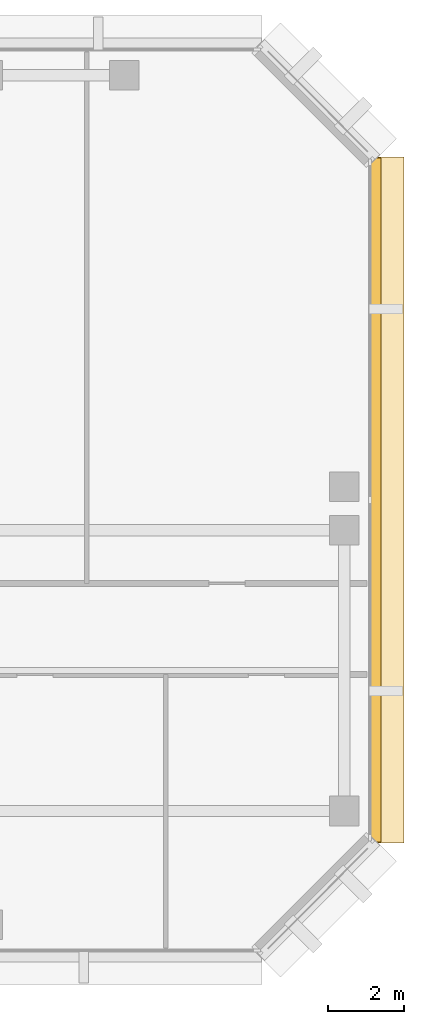
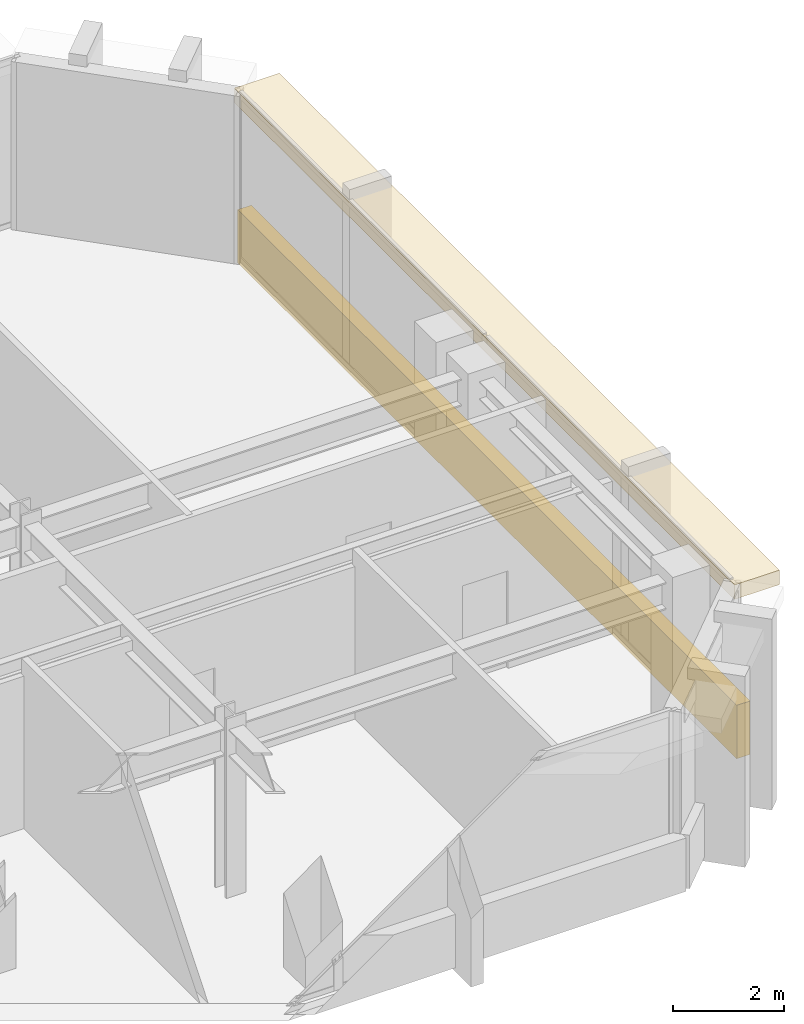
# One storey, part 10 of 12: 2 coverings.
"""IFC4 building model written with IfcOpenShell, lengths in metres."""

from ifc_helpers import new_model, si_unit, direction, frame, origin, origin_2d, place, context, subcontext, project, spatial, rectangle, extrude, material, layer, layer_set, type_object, element, save


model = new_model("IFC4")

# Units and contexts
model_context = context("Model", 3, precision=1e-05, world=origin(), true_north=direction((0.0, 1.0)))
body_context = subcontext(model_context, "Body", "Model", "MODEL_VIEW")
ifc_project = project(units=[si_unit("LENGTHUNIT", "METRE"), si_unit("AREAUNIT", "SQUARE_METRE"), si_unit("VOLUMEUNIT", "CUBIC_METRE"), si_unit("PLANEANGLEUNIT", "RADIAN"), si_unit("MASSUNIT", "GRAM", prefix="KILO")], contexts=[model_context])

# Site, building, storey
site_placement = place(None, origin())
site = spatial("IfcSite", under=ifc_project, at=site_placement, CompositionType="ELEMENT")
building_placement = place(site_placement, origin())
building = spatial("IfcBuilding", under=site, at=building_placement, Name="Kefirva Bronze Tower", CompositionType="ELEMENT")
storey_placement = place(building_placement, frame((0.0, 0.0, 256.409912109375)))
storey = spatial("IfcBuildingStorey", under=building, at=storey_placement, Name="L62", CompositionType="ELEMENT", Elevation=256.409912109375)

# Coverings
ifc_material = material(Name="Bronze anodised aluminium", Category="aluminium")
ifc_layer_1 = layer(ifc_material, 0.02001953125, Name="Bronze anodised aluminium")
ifc_layer_set_1 = layer_set([ifc_layer_1], Name="Bronze anodised aluminium")
covering_type_1 = type_object("IfcCoveringType", Name="Anodised Bronze Spandrel Cladding 20mm", PredefinedType="CLADDING", material=ifc_layer_set_1)
covering_1_placement = place(storey_placement, frame((50.239990234375, 34.0, -0.15966796875), z_axis=(0.0, 0.0, 1.0), x_axis=(0.0, 1.0, 0.0)))
element("IfcCovering", 1, at=covering_1_placement, inside=storey, type_object=covering_type_1, Name="L62 Streamline Horizontal Spandrel Band 6", PredefinedType="CLADDING", context=body_context, shape_type="SweptSolid", body=[
    extrude(rectangle(XDim=18.0400390625, YDim=0.280029296875, at=origin_2d()), origin(), (0.0, 0.0, 1.0), 1.179931640625),
])
ifc_layer_2 = layer(ifc_material, 0.179931640625, Name="Bronze anodised aluminium")
ifc_layer_set_2 = layer_set([ifc_layer_2], Name="Bronze anodised aluminium")
covering_type_2 = type_object("IfcCoveringType", Name="Streamline Bronze Sunshade Eyebrow Cladding 180mm", PredefinedType="CLADDING", material=ifc_layer_set_2)
covering_2_placement = place(storey_placement, frame((50.510009765625, 34.0, 3.39013671875), z_axis=(0.0, 0.0, 1.0), x_axis=(0.0, 1.0, 0.0)))
element("IfcCovering", 2, at=covering_2_placement, inside=storey, type_object=covering_type_2, Name="L62 Streamline Bronze Sunshade Eyebrow 6", PredefinedType="CLADDING", context=body_context, shape_type="SweptSolid", body=[
    extrude(rectangle(XDim=18.080078125, YDim=0.93994140625, at=origin_2d()), origin(), (0.0, 0.0, 1.0), 0.320068359375),
])

save(model, "model.ifc")
